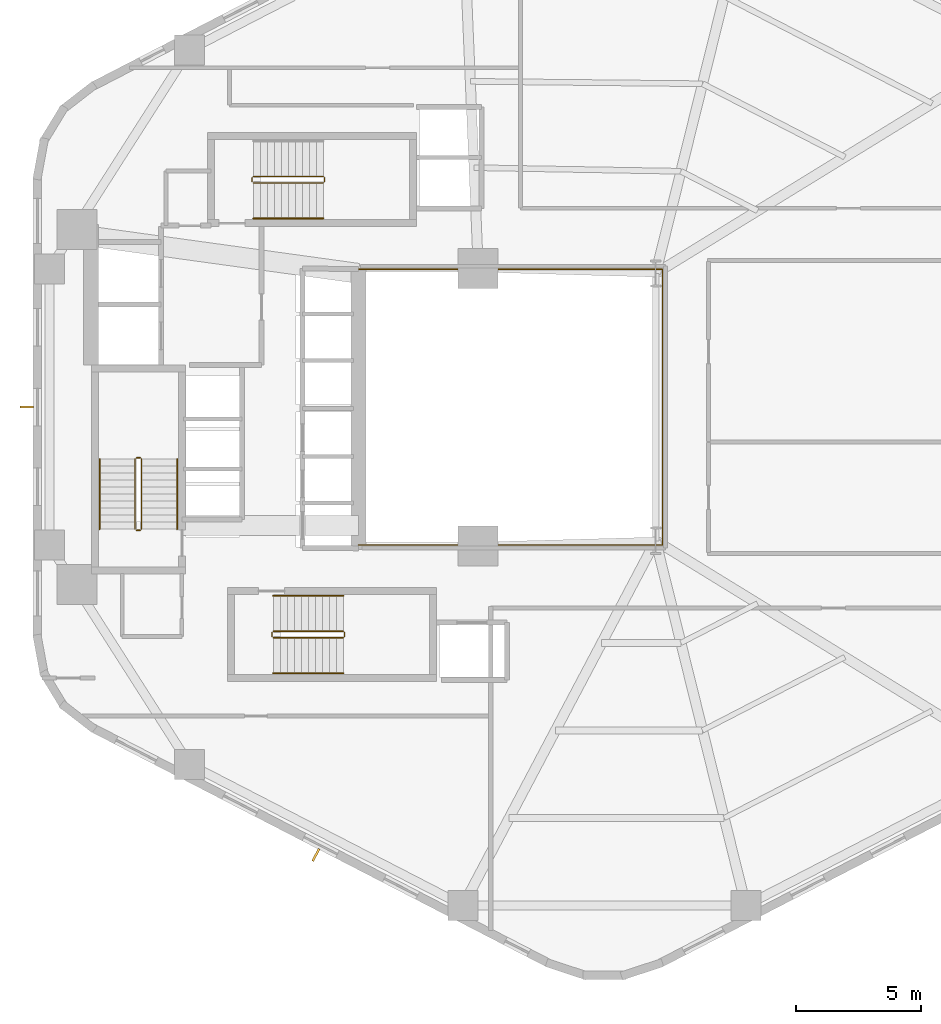
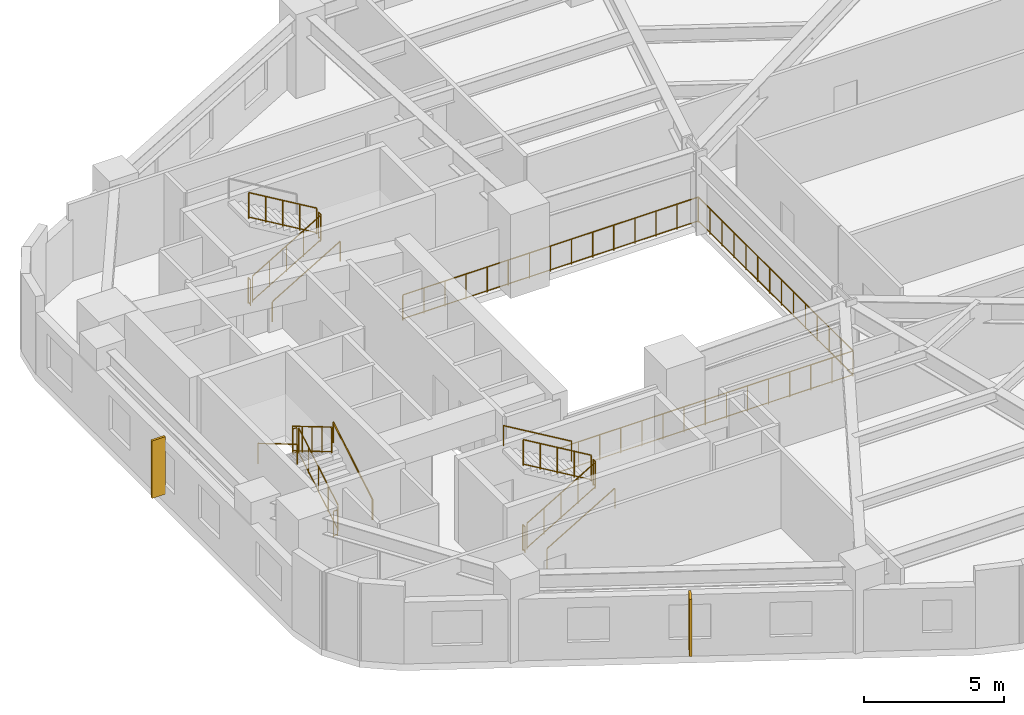
# One storey, part 9 of 10: 18 railings, 2 shading devices.
"""IFC4 building model written with IfcOpenShell, lengths in metres."""

from ifc_helpers import new_model, si_unit, direction, frame, origin, origin_2d, place, context, subcontext, project, spatial, rectangle, circle, extrude, material, type_object, element, save


model = new_model("IFC4")

# Units and contexts
model_context = context("Model", 3, precision=1e-05, world=origin(), true_north=direction((0.0, 1.0)))
body_context = subcontext(model_context, "Body", "Model", "MODEL_VIEW")
ifc_project = project(units=[si_unit("LENGTHUNIT", "METRE"), si_unit("AREAUNIT", "SQUARE_METRE"), si_unit("VOLUMEUNIT", "CUBIC_METRE"), si_unit("PLANEANGLEUNIT", "RADIAN"), si_unit("MASSUNIT", "GRAM", prefix="KILO"), si_unit("THERMODYNAMICTEMPERATUREUNIT", "KELVIN"), si_unit("POWERUNIT", "WATT")], contexts=[model_context])

# Site, building, storey
site_placement = place(None, origin())
site = spatial("IfcSite", under=ifc_project, at=site_placement, CompositionType="ELEMENT")
building_placement = place(site_placement, origin())
building = spatial("IfcBuilding", under=site, at=building_placement, Name="Skarre Station Tower", CompositionType="ELEMENT")
storey_placement = place(building_placement, frame((0.0, 0.0, 59.85009765625)))
storey = spatial("IfcBuildingStorey", under=building, at=storey_placement, Name="L15", CompositionType="ELEMENT", Elevation=59.85009765625)

# Railing
ifc_material_1 = material(Name="Bronze Anodized Steel & Laminated Glass Balustrade", Category="steel")
railing_type_1 = type_object("IfcRailingType", Name="Atrium Void & Mezzanine Guard Balustrade 1120", PredefinedType="GUARDRAIL", material=ifc_material_1)
railing_1_placement = place(storey_placement, frame((27.550048828125, 18.47998046875, 0.0)))
element("IfcRailing", 1, at=railing_1_placement, inside=storey, type_object=railing_type_1, Name="L15 Atrium Void Guard Balustrade", PredefinedType="GUARDRAIL", context=body_context, shape_type="SweptSolid", body=[
    extrude(circle(Radius=0.02392578125, at=origin_2d()), frame((0.0, 0.0, 1.09619140625), z_axis=(1.0, 0.0, 0.0), x_axis=(0.0, 1.0, 0.0)), (0.0, 0.0, 1.0), 12.169921875),
    extrude(circle(Radius=0.02099609375, at=origin_2d()), frame((0.0, 0.0, 0.06005859375), z_axis=(1.0, 0.0, 0.0), x_axis=(0.0, 1.0, 0.0)), (0.0, 0.0, 1.0), 12.169921875),
    extrude(circle(Radius=0.02392578125, at=origin_2d()), frame((12.169921875, 0.0, 1.09619140625), z_axis=(0.0, 1.0, 0.0), x_axis=(-1.0, 0.0, 0.0)), (0.0, 0.0, 1.0), 11.0400390625),
    extrude(circle(Radius=0.02099609375, at=origin_2d()), frame((12.169921875, 0.0, 0.06005859375), z_axis=(0.0, 1.0, 0.0), x_axis=(-1.0, 0.0, 0.0)), (0.0, 0.0, 1.0), 11.0400390625),
    extrude(circle(Radius=0.02392578125, at=origin_2d()), frame((12.169921875, 11.0400390625, 1.09619140625), z_axis=(-1.0, 0.0, 0.0), x_axis=(0.0, -1.0, 0.0)), (0.0, 0.0, 1.0), 12.169921875),
    extrude(circle(Radius=0.02099609375, at=origin_2d()), frame((12.169921875, 11.0400390625, 0.06005859375), z_axis=(-1.0, 0.0, 0.0), x_axis=(0.0, -1.0, 0.0)), (0.0, 0.0, 1.0), 12.169921875),
    extrude(circle(Radius=0.02099609375, at=origin_2d()), origin(), (0.0, 0.0, 1.0), 1.072021484375),
    extrude(circle(Radius=0.02099609375, at=origin_2d()), frame((0.869384765625, 0.0, 0.0)), (0.0, 0.0, 1.0), 1.072021484375),
    extrude(circle(Radius=0.02099609375, at=origin_2d()), frame((1.738525390625, 0.0, 0.0)), (0.0, 0.0, 1.0), 1.072021484375),
    extrude(circle(Radius=0.02099609375, at=origin_2d()), frame((2.60791015625, 0.0, 0.0)), (0.0, 0.0, 1.0), 1.072021484375),
    extrude(circle(Radius=0.02099609375, at=origin_2d()), frame((3.47705078125, 0.0, 0.0)), (0.0, 0.0, 1.0), 1.072021484375),
    extrude(circle(Radius=0.02099609375, at=origin_2d()), frame((4.346435546875, 0.0, 0.0)), (0.0, 0.0, 1.0), 1.072021484375),
    extrude(circle(Radius=0.02099609375, at=origin_2d()), frame((5.215576171875, 0.0, 0.0)), (0.0, 0.0, 1.0), 1.072021484375),
    extrude(circle(Radius=0.02099609375, at=origin_2d()), frame((6.0849609375, 0.0, 0.0)), (0.0, 0.0, 1.0), 1.072021484375),
    extrude(circle(Radius=0.02099609375, at=origin_2d()), frame((6.954345703125, 0.0, 0.0)), (0.0, 0.0, 1.0), 1.072021484375),
    extrude(circle(Radius=0.02099609375, at=origin_2d()), frame((7.823486328125, 0.0, 0.0)), (0.0, 0.0, 1.0), 1.072021484375),
    extrude(circle(Radius=0.02099609375, at=origin_2d()), frame((8.69287109375, 0.0, 0.0)), (0.0, 0.0, 1.0), 1.072021484375),
    extrude(circle(Radius=0.02099609375, at=origin_2d()), frame((9.56201171875, 0.0, 0.0)), (0.0, 0.0, 1.0), 1.072021484375),
    extrude(circle(Radius=0.02099609375, at=origin_2d()), frame((10.431396484375, 0.0, 0.0)), (0.0, 0.0, 1.0), 1.072021484375),
    extrude(circle(Radius=0.02099609375, at=origin_2d()), frame((11.300537109375, 0.0, 0.0)), (0.0, 0.0, 1.0), 1.072021484375),
    extrude(circle(Radius=0.02099609375, at=origin_2d()), frame((12.169921875, 0.0, 0.0)), (0.0, 0.0, 1.0), 1.072021484375),
    extrude(circle(Radius=0.02099609375, at=origin_2d()), frame((12.169921875, 0.84912109375, 0.0)), (0.0, 0.0, 1.0), 1.072021484375),
    extrude(circle(Radius=0.02099609375, at=origin_2d()), frame((12.169921875, 1.698486328125, 0.0)), (0.0, 0.0, 1.0), 1.072021484375),
    extrude(circle(Radius=0.02099609375, at=origin_2d()), frame((12.169921875, 2.547607421875, 0.0)), (0.0, 0.0, 1.0), 1.072021484375),
    extrude(circle(Radius=0.02099609375, at=origin_2d()), frame((12.169921875, 3.39697265625, 0.0)), (0.0, 0.0, 1.0), 1.072021484375),
    extrude(circle(Radius=0.02099609375, at=origin_2d()), frame((12.169921875, 4.24609375, 0.0)), (0.0, 0.0, 1.0), 1.072021484375),
    extrude(circle(Radius=0.02099609375, at=origin_2d()), frame((12.169921875, 5.095458984375, 0.0)), (0.0, 0.0, 1.0), 1.072021484375),
    extrude(circle(Radius=0.02099609375, at=origin_2d()), frame((12.169921875, 5.944580078125, 0.0)), (0.0, 0.0, 1.0), 1.072021484375),
    extrude(circle(Radius=0.02099609375, at=origin_2d()), frame((12.169921875, 6.7939453125, 0.0)), (0.0, 0.0, 1.0), 1.072021484375),
    extrude(circle(Radius=0.02099609375, at=origin_2d()), frame((12.169921875, 7.64306640625, 0.0)), (0.0, 0.0, 1.0), 1.072021484375),
    extrude(circle(Radius=0.02099609375, at=origin_2d()), frame((12.169921875, 8.492431640625, 0.0)), (0.0, 0.0, 1.0), 1.072021484375),
    extrude(circle(Radius=0.02099609375, at=origin_2d()), frame((12.169921875, 9.341552734375, 0.0)), (0.0, 0.0, 1.0), 1.072021484375),
    extrude(circle(Radius=0.02099609375, at=origin_2d()), frame((12.169921875, 10.19091796875, 0.0)), (0.0, 0.0, 1.0), 1.072021484375),
    extrude(circle(Radius=0.02099609375, at=origin_2d()), frame((12.169921875, 11.0400390625, 0.0)), (0.0, 0.0, 1.0), 1.072021484375),
    extrude(circle(Radius=0.02099609375, at=origin_2d()), frame((11.300537109375, 11.0400390625, 0.0)), (0.0, 0.0, 1.0), 1.072021484375),
    extrude(circle(Radius=0.02099609375, at=origin_2d()), frame((10.431396484375, 11.0400390625, 0.0)), (0.0, 0.0, 1.0), 1.072021484375),
    extrude(circle(Radius=0.02099609375, at=origin_2d()), frame((9.56201171875, 11.0400390625, 0.0)), (0.0, 0.0, 1.0), 1.072021484375),
    extrude(circle(Radius=0.02099609375, at=origin_2d()), frame((8.69287109375, 11.0400390625, 0.0)), (0.0, 0.0, 1.0), 1.072021484375),
    extrude(circle(Radius=0.02099609375, at=origin_2d()), frame((7.823486328125, 11.0400390625, 0.0)), (0.0, 0.0, 1.0), 1.072021484375),
    extrude(circle(Radius=0.02099609375, at=origin_2d()), frame((6.954345703125, 11.0400390625, 0.0)), (0.0, 0.0, 1.0), 1.072021484375),
    extrude(circle(Radius=0.02099609375, at=origin_2d()), frame((6.0849609375, 11.0400390625, 0.0)), (0.0, 0.0, 1.0), 1.072021484375),
    extrude(circle(Radius=0.02099609375, at=origin_2d()), frame((5.215576171875, 11.0400390625, 0.0)), (0.0, 0.0, 1.0), 1.072021484375),
    extrude(circle(Radius=0.02099609375, at=origin_2d()), frame((4.346435546875, 11.0400390625, 0.0)), (0.0, 0.0, 1.0), 1.072021484375),
    extrude(circle(Radius=0.02099609375, at=origin_2d()), frame((3.47705078125, 11.0400390625, 0.0)), (0.0, 0.0, 1.0), 1.072021484375),
    extrude(circle(Radius=0.02099609375, at=origin_2d()), frame((2.60791015625, 11.0400390625, 0.0)), (0.0, 0.0, 1.0), 1.072021484375),
    extrude(circle(Radius=0.02099609375, at=origin_2d()), frame((1.738525390625, 11.0400390625, 0.0)), (0.0, 0.0, 1.0), 1.072021484375),
    extrude(circle(Radius=0.02099609375, at=origin_2d()), frame((0.869384765625, 11.0400390625, 0.0)), (0.0, 0.0, 1.0), 1.072021484375),
    extrude(circle(Radius=0.02099609375, at=origin_2d()), frame((0.0, 11.0400390625, 0.0)), (0.0, 0.0, 1.0), 1.072021484375),
])

# Shading devices
ifc_material_2 = material(Name="Bronze Anodized Extruded Aluminium 6063-T6", Category="aluminium")
shading_device_type = type_object("IfcShadingDeviceType", Name="Nordic Bronze Vertical Solar Fin 550x90", PredefinedType="SHUTTER", material=ifc_material_2)
for number, where, z_axis, x_axis, name in (
    (2, (14.287109375, 24.0, 0.349853515625), (0.0, 0.0, 1.0), (-1.0, 0.0, 0.0), "L15 Facet 2 Bronze Solar Fin"),
    (3, (25.85400390625, 6.077880859375, 0.349853515625), (0.0, 0.0, 1.0), (-0.458618535612, -0.888633242003, 0.0), "L15 Facet 3 Bronze Solar Fin"),
):
    element("IfcShadingDevice", number, at=place(storey_placement, frame(where, z_axis=z_axis, x_axis=x_axis)), inside=storey, type_object=shading_device_type, Name=name, PredefinedType="SHUTTER", context=body_context, shape_type="SweptSolid", body=[
        extrude(rectangle(XDim=0.550048828125, YDim=0.090087890625, at=origin_2d()), origin(), (0.0, 0.0, 1.0), 2.5),
    ])

# Railings
ifc_material_3 = material(Name="Powder-Coated Tubular Steel", Category="steel")
railing_type_2 = type_object("IfcRailingType", Name="Painted Steel Ramp & Stair Handrail 920", PredefinedType="HANDRAIL", material=ifc_material_3)
railing_2_placement = place(storey_placement, frame((20.300048828125, 19.1201171875, 0.165771484375)))
element("IfcRailing", 4, at=railing_2_placement, inside=storey, type_object=railing_type_2, Name="L15 ST-1 stair handrail 1", PredefinedType="HANDRAIL", context=body_context, shape_type="SweptSolid", body=[
    extrude(circle(Radius=0.02392578125, at=origin_2d()), frame((0.0, 0.0, 0.8759765625), z_axis=(0.0, 0.860286659441, 0.509810615413), x_axis=(-1.0, 0.0, 0.0)), (0.0, 0.0, 1.0), 3.25439453125),
    extrude(circle(Radius=0.02099609375, at=origin_2d()), origin(), (0.0, 0.0, 1.0), 0.851806640625),
    extrude(circle(Radius=0.02099609375, at=origin_2d()), frame((0.0, 2.7998046875, 1.6591796875)), (0.0, 0.0, 1.0), 0.851806640625),
])
railing_3_placement = place(storey_placement, frame((17.199951171875, 21.919921875, 1.99072265625)))
element("IfcRailing", 5, at=railing_3_placement, inside=storey, type_object=railing_type_2, Name="L15 ST-1 stair handrail 2", PredefinedType="HANDRAIL", context=body_context, shape_type="SweptSolid", body=[
    extrude(circle(Radius=0.02392578125, at=origin_2d()), frame((0.0, 0.0, 0.8759765625), z_axis=(0.0, -0.860286659441, 0.509810615413), x_axis=(1.0, 0.0, 0.0)), (0.0, 0.0, 1.0), 3.25439453125),
    extrude(circle(Radius=0.02099609375, at=origin_2d()), origin(), (0.0, 0.0, 1.0), 0.851806640625),
    extrude(circle(Radius=0.02099609375, at=origin_2d()), frame((0.0, -2.7998046875, 1.6591796875)), (0.0, 0.0, 1.0), 0.851806640625),
])
railing_4_placement = place(storey_placement, frame((24.14990234375, 13.35009765625, 0.165771484375)))
element("IfcRailing", 6, at=railing_4_placement, inside=storey, type_object=railing_type_2, Name="L15 ST-2 stair handrail 1", PredefinedType="HANDRAIL", context=body_context, shape_type="SweptSolid", body=[
    extrude(circle(Radius=0.02392578125, at=origin_2d()), frame((0.0, 0.0, 0.8759765625), z_axis=(0.860306154799, 0.0, 0.50977771628), x_axis=(0.0, 1.0, 0.0)), (0.0, 0.0, 1.0), 3.254638671875),
    extrude(circle(Radius=0.02099609375, at=origin_2d()), origin(), (0.0, 0.0, 1.0), 0.851806640625),
    extrude(circle(Radius=0.02099609375, at=origin_2d()), frame((2.800048828125, 0.0, 1.6591796875)), (0.0, 0.0, 1.0), 0.851806640625),
])
railing_5_placement = place(storey_placement, frame((26.949951171875, 16.449951171875, 1.99072265625)))
element("IfcRailing", 7, at=railing_5_placement, inside=storey, type_object=railing_type_2, Name="L15 ST-2 stair handrail 2", PredefinedType="HANDRAIL", context=body_context, shape_type="SweptSolid", body=[
    extrude(circle(Radius=0.02392578125, at=origin_2d()), frame((0.0, 0.0, 0.8759765625), z_axis=(-0.860306154799, 0.0, 0.50977771628), x_axis=(0.0, -1.0, 0.0)), (0.0, 0.0, 1.0), 3.254638671875),
    extrude(circle(Radius=0.02099609375, at=origin_2d()), origin(), (0.0, 0.0, 1.0), 0.851806640625),
    extrude(circle(Radius=0.02099609375, at=origin_2d()), frame((-2.800048828125, 0.0, 1.6591796875)), (0.0, 0.0, 1.0), 0.851806640625),
])
railing_6_placement = place(storey_placement, frame((23.35009765625, 31.550048828125, 0.165771484375)))
element("IfcRailing", 8, at=railing_6_placement, inside=storey, type_object=railing_type_2, Name="L15 ST-3 stair handrail 1", PredefinedType="HANDRAIL", context=body_context, shape_type="SweptSolid", body=[
    extrude(circle(Radius=0.02392578125, at=origin_2d()), frame((0.0, 0.0, 0.8759765625), z_axis=(0.860286659441, 0.0, 0.509810615413), x_axis=(0.0, 1.0, 0.0)), (0.0, 0.0, 1.0), 3.25439453125),
    extrude(circle(Radius=0.02099609375, at=origin_2d()), origin(), (0.0, 0.0, 1.0), 0.851806640625),
    extrude(circle(Radius=0.02099609375, at=origin_2d()), frame((2.7998046875, 0.0, 1.6591796875)), (0.0, 0.0, 1.0), 0.851806640625),
])
railing_type_3 = type_object("IfcRailingType", Name="Painted Steel Stairwell Guardrail 1100", PredefinedType="GUARDRAIL", material=ifc_material_3)
railing_7_placement = place(storey_placement, frame((18.8798828125, 19.1201171875, 0.165771484375)))
element("IfcRailing", 9, at=railing_7_placement, inside=storey, type_object=railing_type_3, Name="L15 ST-1 stair guard 1", PredefinedType="GUARDRAIL", context=body_context, shape_type="SweptSolid", body=[
    extrude(circle(Radius=0.02392578125, at=origin_2d()), frame((0.0, 0.0, 1.1259765625), z_axis=(0.0, 0.860286659441, 0.509810615413), x_axis=(-1.0, 0.0, 0.0)), (0.0, 0.0, 1.0), 3.25439453125),
    extrude(circle(Radius=0.02099609375, at=origin_2d()), frame((0.0, 0.0, 0.06005859375), z_axis=(0.0, 0.860286659441, 0.509810615413), x_axis=(-1.0, 0.0, 0.0)), (0.0, 0.0, 1.0), 3.25439453125),
    extrude(circle(Radius=0.02099609375, at=origin_2d()), origin(), (0.0, 0.0, 1.0), 1.101806640625),
    extrude(circle(Radius=0.02099609375, at=origin_2d()), frame((0.0, 0.699951171875, 0.414794921875)), (0.0, 0.0, 1.0), 1.101806640625),
    extrude(circle(Radius=0.02099609375, at=origin_2d()), frame((0.0, 1.39990234375, 0.82958984375)), (0.0, 0.0, 1.0), 1.101806640625),
    extrude(circle(Radius=0.02099609375, at=origin_2d()), frame((0.0, 2.099853515625, 1.244384765625)), (0.0, 0.0, 1.0), 1.101806640625),
    extrude(circle(Radius=0.02099609375, at=origin_2d()), frame((0.0, 2.7998046875, 1.6591796875)), (0.0, 0.0, 1.0), 1.101806640625),
])
railing_8_placement = place(storey_placement, frame((18.830078125, 21.969970703125, 1.824951171875)))
element("IfcRailing", 10, at=railing_8_placement, inside=storey, type_object=railing_type_3, Name="L15 ST-1 stair guard 2", PredefinedType="GUARDRAIL", context=body_context, shape_type="SweptSolid", body=[
    extrude(circle(Radius=0.02392578125, at=origin_2d()), frame((0.0, 0.0, 1.1259765625), z_axis=(-1.0, 0.0, 0.0), x_axis=(0.0, -1.0, 0.0)), (0.0, 0.0, 1.0), 0.16015625),
    extrude(circle(Radius=0.02099609375, at=origin_2d()), frame((0.0, 0.0, 0.06005859375), z_axis=(-1.0, 0.0, 0.0), x_axis=(0.0, -1.0, 0.0)), (0.0, 0.0, 1.0), 0.16015625),
    extrude(circle(Radius=0.02099609375, at=origin_2d()), origin(), (0.0, 0.0, 1.0), 1.101806640625),
    extrude(circle(Radius=0.02099609375, at=origin_2d()), frame((-0.16015625, 0.0, 0.0)), (0.0, 0.0, 1.0), 1.101806640625),
])
railing_9_placement = place(storey_placement, frame((18.6201171875, 21.919921875, 1.99072265625)))
element("IfcRailing", 11, at=railing_9_placement, inside=storey, type_object=railing_type_3, Name="L15 ST-1 stair guard 3", PredefinedType="GUARDRAIL", context=body_context, shape_type="SweptSolid", body=[
    extrude(circle(Radius=0.02392578125, at=origin_2d()), frame((0.0, 0.0, 1.1259765625), z_axis=(0.0, -0.860286659441, 0.509810615413), x_axis=(1.0, 0.0, 0.0)), (0.0, 0.0, 1.0), 3.25439453125),
    extrude(circle(Radius=0.02099609375, at=origin_2d()), frame((0.0, 0.0, 0.06005859375), z_axis=(0.0, -0.860286659441, 0.509810615413), x_axis=(1.0, 0.0, 0.0)), (0.0, 0.0, 1.0), 3.25439453125),
    extrude(circle(Radius=0.02099609375, at=origin_2d()), origin(), (0.0, 0.0, 1.0), 1.101806640625),
    extrude(circle(Radius=0.02099609375, at=origin_2d()), frame((0.0, -0.699951171875, 0.414794921875)), (0.0, 0.0, 1.0), 1.101806640625),
    extrude(circle(Radius=0.02099609375, at=origin_2d()), frame((0.0, -1.39990234375, 0.82958984375)), (0.0, 0.0, 1.0), 1.101806640625),
    extrude(circle(Radius=0.02099609375, at=origin_2d()), frame((0.0, -2.099853515625, 1.244384765625)), (0.0, 0.0, 1.0), 1.101806640625),
    extrude(circle(Radius=0.02099609375, at=origin_2d()), frame((0.0, -2.7998046875, 1.6591796875)), (0.0, 0.0, 1.0), 1.101806640625),
])
railing_10_placement = place(storey_placement, frame((18.830078125, 19.070068359375, 0.0)))
element("IfcRailing", 12, at=railing_10_placement, inside=storey, type_object=railing_type_3, Name="L15 ST-1 stair guard 4", PredefinedType="GUARDRAIL", context=body_context, shape_type="SweptSolid", body=[
    extrude(circle(Radius=0.02392578125, at=origin_2d()), frame((0.0, 0.0, 1.1259765625), z_axis=(-1.0, 0.0, 0.0), x_axis=(0.0, -1.0, 0.0)), (0.0, 0.0, 1.0), 0.16015625),
    extrude(circle(Radius=0.02099609375, at=origin_2d()), frame((0.0, 0.0, 0.06005859375), z_axis=(-1.0, 0.0, 0.0), x_axis=(0.0, -1.0, 0.0)), (0.0, 0.0, 1.0), 0.16015625),
    extrude(circle(Radius=0.02099609375, at=origin_2d()), origin(), (0.0, 0.0, 1.0), 1.101806640625),
    extrude(circle(Radius=0.02099609375, at=origin_2d()), frame((-0.16015625, 0.0, 0.0)), (0.0, 0.0, 1.0), 1.101806640625),
])
railing_11_placement = place(storey_placement, frame((24.14990234375, 14.77001953125, 0.165771484375)))
element("IfcRailing", 13, at=railing_11_placement, inside=storey, type_object=railing_type_3, Name="L15 ST-2 stair guard 1", PredefinedType="GUARDRAIL", context=body_context, shape_type="SweptSolid", body=[
    extrude(circle(Radius=0.02392578125, at=origin_2d()), frame((0.0, 0.0, 1.1259765625), z_axis=(0.860306154799, 0.0, 0.50977771628), x_axis=(0.0, 1.0, 0.0)), (0.0, 0.0, 1.0), 3.254638671875),
    extrude(circle(Radius=0.02099609375, at=origin_2d()), frame((0.0, 0.0, 0.06005859375), z_axis=(0.860306154799, 0.0, 0.50977771628), x_axis=(0.0, 1.0, 0.0)), (0.0, 0.0, 1.0), 3.254638671875),
    extrude(circle(Radius=0.02099609375, at=origin_2d()), origin(), (0.0, 0.0, 1.0), 1.101806640625),
    extrude(circle(Radius=0.02099609375, at=origin_2d()), frame((0.699951171875, 0.0, 0.414794921875)), (0.0, 0.0, 1.0), 1.101806640625),
    extrude(circle(Radius=0.02099609375, at=origin_2d()), frame((1.39990234375, 0.0, 0.82958984375)), (0.0, 0.0, 1.0), 1.101806640625),
    extrude(circle(Radius=0.02099609375, at=origin_2d()), frame((2.10009765625, 0.0, 1.244384765625)), (0.0, 0.0, 1.0), 1.101806640625),
    extrude(circle(Radius=0.02099609375, at=origin_2d()), frame((2.800048828125, 0.0, 1.6591796875)), (0.0, 0.0, 1.0), 1.101806640625),
])
railing_12_placement = place(storey_placement, frame((27.0, 14.820068359375, 1.824951171875)))
element("IfcRailing", 14, at=railing_12_placement, inside=storey, type_object=railing_type_3, Name="L15 ST-2 stair guard 2", PredefinedType="GUARDRAIL", context=body_context, shape_type="SweptSolid", body=[
    extrude(circle(Radius=0.02392578125, at=origin_2d()), frame((0.0, 0.0, 1.1259765625), z_axis=(0.0, 1.0, 0.0), x_axis=(-1.0, 0.0, 0.0)), (0.0, 0.0, 1.0), 0.159912109375),
    extrude(circle(Radius=0.02099609375, at=origin_2d()), frame((0.0, 0.0, 0.06005859375), z_axis=(0.0, 1.0, 0.0), x_axis=(-1.0, 0.0, 0.0)), (0.0, 0.0, 1.0), 0.159912109375),
    extrude(circle(Radius=0.02099609375, at=origin_2d()), origin(), (0.0, 0.0, 1.0), 1.101806640625),
    extrude(circle(Radius=0.02099609375, at=origin_2d()), frame((0.0, 0.159912109375, 0.0)), (0.0, 0.0, 1.0), 1.101806640625),
])
railing_13_placement = place(storey_placement, frame((26.949951171875, 15.030029296875, 1.99072265625)))
element("IfcRailing", 15, at=railing_13_placement, inside=storey, type_object=railing_type_3, Name="L15 ST-2 stair guard 3", PredefinedType="GUARDRAIL", context=body_context, shape_type="SweptSolid", body=[
    extrude(circle(Radius=0.02392578125, at=origin_2d()), frame((0.0, 0.0, 1.1259765625), z_axis=(-0.860306154799, 0.0, 0.50977771628), x_axis=(0.0, -1.0, 0.0)), (0.0, 0.0, 1.0), 3.254638671875),
    extrude(circle(Radius=0.02099609375, at=origin_2d()), frame((0.0, 0.0, 0.06005859375), z_axis=(-0.860306154799, 0.0, 0.50977771628), x_axis=(0.0, -1.0, 0.0)), (0.0, 0.0, 1.0), 3.254638671875),
    extrude(circle(Radius=0.02099609375, at=origin_2d()), origin(), (0.0, 0.0, 1.0), 1.101806640625),
    extrude(circle(Radius=0.02099609375, at=origin_2d()), frame((-0.699951171875, 0.0, 0.414794921875)), (0.0, 0.0, 1.0), 1.101806640625),
    extrude(circle(Radius=0.02099609375, at=origin_2d()), frame((-1.39990234375, 0.0, 0.82958984375)), (0.0, 0.0, 1.0), 1.101806640625),
    extrude(circle(Radius=0.02099609375, at=origin_2d()), frame((-2.10009765625, 0.0, 1.244384765625)), (0.0, 0.0, 1.0), 1.101806640625),
    extrude(circle(Radius=0.02099609375, at=origin_2d()), frame((-2.800048828125, 0.0, 1.6591796875)), (0.0, 0.0, 1.0), 1.101806640625),
])
railing_14_placement = place(storey_placement, frame((24.10009765625, 14.820068359375, 0.0)))
element("IfcRailing", 16, at=railing_14_placement, inside=storey, type_object=railing_type_3, Name="L15 ST-2 stair guard 4", PredefinedType="GUARDRAIL", context=body_context, shape_type="SweptSolid", body=[
    extrude(circle(Radius=0.02392578125, at=origin_2d()), frame((0.0, 0.0, 1.1259765625), z_axis=(0.0, 1.0, 0.0), x_axis=(-1.0, 0.0, 0.0)), (0.0, 0.0, 1.0), 0.159912109375),
    extrude(circle(Radius=0.02099609375, at=origin_2d()), frame((0.0, 0.0, 0.06005859375), z_axis=(0.0, 1.0, 0.0), x_axis=(-1.0, 0.0, 0.0)), (0.0, 0.0, 1.0), 0.159912109375),
    extrude(circle(Radius=0.02099609375, at=origin_2d()), origin(), (0.0, 0.0, 1.0), 1.101806640625),
    extrude(circle(Radius=0.02099609375, at=origin_2d()), frame((0.0, 0.159912109375, 0.0)), (0.0, 0.0, 1.0), 1.101806640625),
])
railing_15_placement = place(storey_placement, frame((23.35009765625, 32.969970703125, 0.165771484375)))
element("IfcRailing", 17, at=railing_15_placement, inside=storey, type_object=railing_type_3, Name="L15 ST-3 stair guard 1", PredefinedType="GUARDRAIL", context=body_context, shape_type="SweptSolid", body=[
    extrude(circle(Radius=0.02392578125, at=origin_2d()), frame((0.0, 0.0, 1.1259765625), z_axis=(0.860286659441, 0.0, 0.509810615413), x_axis=(0.0, 1.0, 0.0)), (0.0, 0.0, 1.0), 3.25439453125),
    extrude(circle(Radius=0.02099609375, at=origin_2d()), frame((0.0, 0.0, 0.06005859375), z_axis=(0.860286659441, 0.0, 0.509810615413), x_axis=(0.0, 1.0, 0.0)), (0.0, 0.0, 1.0), 3.25439453125),
    extrude(circle(Radius=0.02099609375, at=origin_2d()), origin(), (0.0, 0.0, 1.0), 1.101806640625),
    extrude(circle(Radius=0.02099609375, at=origin_2d()), frame((0.699951171875, 0.0, 0.414794921875)), (0.0, 0.0, 1.0), 1.101806640625),
    extrude(circle(Radius=0.02099609375, at=origin_2d()), frame((1.39990234375, 0.0, 0.82958984375)), (0.0, 0.0, 1.0), 1.101806640625),
    extrude(circle(Radius=0.02099609375, at=origin_2d()), frame((2.099853515625, 0.0, 1.244384765625)), (0.0, 0.0, 1.0), 1.101806640625),
    extrude(circle(Radius=0.02099609375, at=origin_2d()), frame((2.7998046875, 0.0, 1.6591796875)), (0.0, 0.0, 1.0), 1.101806640625),
])
railing_16_placement = place(storey_placement, frame((26.199951171875, 33.02001953125, 1.824951171875)))
element("IfcRailing", 18, at=railing_16_placement, inside=storey, type_object=railing_type_3, Name="L15 ST-3 stair guard 2", PredefinedType="GUARDRAIL", context=body_context, shape_type="SweptSolid", body=[
    extrude(circle(Radius=0.02392578125, at=origin_2d()), frame((0.0, 0.0, 1.1259765625), z_axis=(0.0, 1.0, 0.0), x_axis=(-1.0, 0.0, 0.0)), (0.0, 0.0, 1.0), 0.159912109375),
    extrude(circle(Radius=0.02099609375, at=origin_2d()), frame((0.0, 0.0, 0.06005859375), z_axis=(0.0, 1.0, 0.0), x_axis=(-1.0, 0.0, 0.0)), (0.0, 0.0, 1.0), 0.159912109375),
    extrude(circle(Radius=0.02099609375, at=origin_2d()), origin(), (0.0, 0.0, 1.0), 1.101806640625),
    extrude(circle(Radius=0.02099609375, at=origin_2d()), frame((0.0, 0.159912109375, 0.0)), (0.0, 0.0, 1.0), 1.101806640625),
])
railing_17_placement = place(storey_placement, frame((26.14990234375, 33.22998046875, 1.99072265625)))
element("IfcRailing", 19, at=railing_17_placement, inside=storey, type_object=railing_type_3, Name="L15 ST-3 stair guard 3", PredefinedType="GUARDRAIL", context=body_context, shape_type="SweptSolid", body=[
    extrude(circle(Radius=0.02392578125, at=origin_2d()), frame((0.0, 0.0, 1.1259765625), z_axis=(-0.860286659441, 0.0, 0.509810615413), x_axis=(0.0, -1.0, 0.0)), (0.0, 0.0, 1.0), 3.25439453125),
    extrude(circle(Radius=0.02099609375, at=origin_2d()), frame((0.0, 0.0, 0.06005859375), z_axis=(-0.860286659441, 0.0, 0.509810615413), x_axis=(0.0, -1.0, 0.0)), (0.0, 0.0, 1.0), 3.25439453125),
    extrude(circle(Radius=0.02099609375, at=origin_2d()), origin(), (0.0, 0.0, 1.0), 1.101806640625),
    extrude(circle(Radius=0.02099609375, at=origin_2d()), frame((-0.699951171875, 0.0, 0.414794921875)), (0.0, 0.0, 1.0), 1.101806640625),
    extrude(circle(Radius=0.02099609375, at=origin_2d()), frame((-1.39990234375, 0.0, 0.82958984375)), (0.0, 0.0, 1.0), 1.101806640625),
    extrude(circle(Radius=0.02099609375, at=origin_2d()), frame((-2.099853515625, 0.0, 1.244384765625)), (0.0, 0.0, 1.0), 1.101806640625),
    extrude(circle(Radius=0.02099609375, at=origin_2d()), frame((-2.7998046875, 0.0, 1.6591796875)), (0.0, 0.0, 1.0), 1.101806640625),
])
railing_18_placement = place(storey_placement, frame((23.300048828125, 33.02001953125, 0.0)))
element("IfcRailing", 20, at=railing_18_placement, inside=storey, type_object=railing_type_3, Name="L15 ST-3 stair guard 4", PredefinedType="GUARDRAIL", context=body_context, shape_type="SweptSolid", body=[
    extrude(circle(Radius=0.02392578125, at=origin_2d()), frame((0.0, 0.0, 1.1259765625), z_axis=(0.0, 1.0, 0.0), x_axis=(-1.0, 0.0, 0.0)), (0.0, 0.0, 1.0), 0.159912109375),
    extrude(circle(Radius=0.02099609375, at=origin_2d()), frame((0.0, 0.0, 0.06005859375), z_axis=(0.0, 1.0, 0.0), x_axis=(-1.0, 0.0, 0.0)), (0.0, 0.0, 1.0), 0.159912109375),
    extrude(circle(Radius=0.02099609375, at=origin_2d()), origin(), (0.0, 0.0, 1.0), 1.101806640625),
    extrude(circle(Radius=0.02099609375, at=origin_2d()), frame((0.0, 0.159912109375, 0.0)), (0.0, 0.0, 1.0), 1.101806640625),
])

save(model, "model.ifc")
